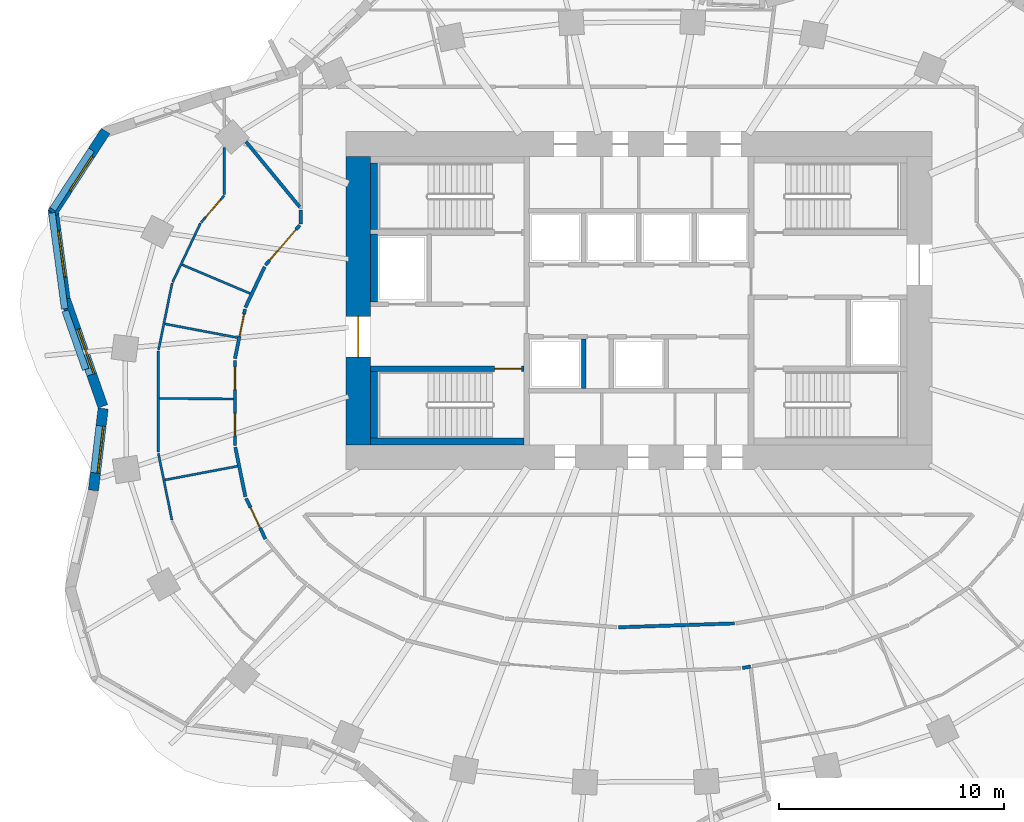
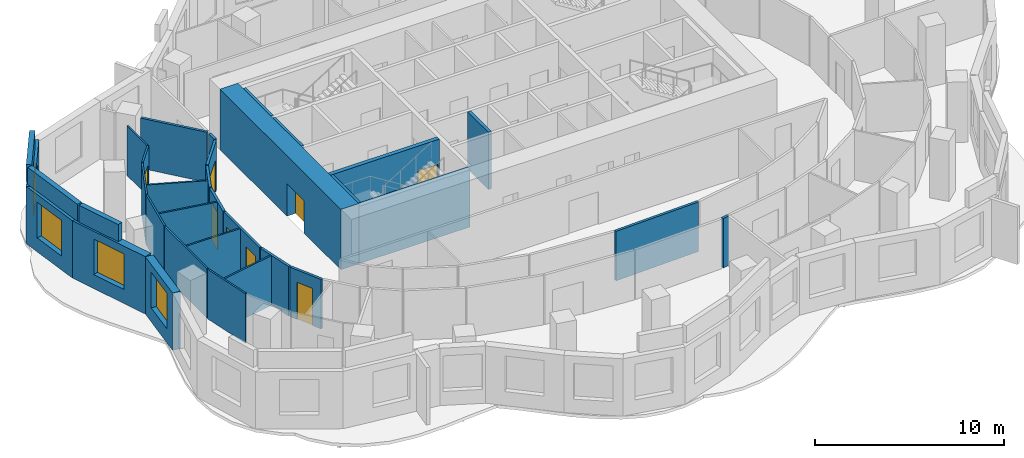
# One storey, part 4 of 10: 34 walls, 8 doors, 4 windows, 12 openings.
"""IFC4 building model written with IfcOpenShell, lengths in metres."""

import ifcopenshell
import ifcopenshell.guid

model = None  # the IFC model being written
_history = None  # IfcOwnerHistory: only IFC2X3 demands one
_inside = {}  # id of a spatial element -> (the spatial element, [elements in it])
_under = {}  # id of a project, library or spatial element -> (it, [spatial elements below it])
_declared = {}  # id of a project -> (the project, [libraries it declares])
_typed = {}  # id of a type object -> (the type object, [elements of that type])
_made_of = {}  # id of a material, layer set ... -> (it, [elements and type objects made of it])


def new_model(schema):
    """Start an empty IFC model of exactly this schema.

    Asked for "IFC4X3", IfcOpenShell would pick the latest addendum, in which some entities
    have other attributes; the version numbers below select the first issue.
    IFC2X3 requires an IfcOwnerHistory on every rooted entity: one is made here for all.
    """
    global model, _history
    if schema == "IFC4X3":
        model = ifcopenshell.file(schema_version=(4, 3, 0, 0))
    else:
        model = ifcopenshell.file(schema=schema)
    _inside.clear()
    _under.clear()
    _declared.clear()
    _typed.clear()
    _made_of.clear()
    _history = None
    if model.schema == "IFC2X3":
        org = make("IfcOrganization", Name="unknown")
        user = make(
            "IfcPersonAndOrganization",
            ThePerson=make("IfcPerson", FamilyName="unknown"),
            TheOrganization=org,
        )
        app = make(
            "IfcApplication",
            ApplicationDeveloper=org,
            Version="unknown",
            ApplicationFullName="unknown",
            ApplicationIdentifier="unknown",
        )
        _history = make(
            "IfcOwnerHistory",
            OwningUser=user,
            OwningApplication=app,
            ChangeAction="ADDED",
            CreationDate=0,
        )
    return model


def make(cls, **values):
    """One entity of the class cls with the attributes given. An attribute that is None is left unset."""
    return model.create_entity(
        cls, **{name: value for name, value in values.items() if value is not None}
    )


def rooted(cls, **values):
    """An entity with a GlobalId (a new one), such as an element, a storey or a relation."""
    return make(cls, GlobalId=ifcopenshell.guid.new(), OwnerHistory=_history, **values)


def si_unit(unit_type, name, prefix=None):
    """IfcSIUnit, for example si_unit("LENGTHUNIT", "METRE", prefix="MILLI")."""
    return make("IfcSIUnit", UnitType=unit_type, Prefix=prefix, Name=name)


def assignment(units):
    """IfcUnitAssignment: the units of a project."""
    return None if units is None else make("IfcUnitAssignment", Units=units)


def point(xyz):
    """IfcCartesianPoint."""
    return None if xyz is None else make("IfcCartesianPoint", Coordinates=xyz)


def direction(xyz):
    """IfcDirection."""
    return None if xyz is None else make("IfcDirection", DirectionRatios=xyz)


def frame(location, z_axis=None, x_axis=None):
    """IfcAxis2Placement3D, a coordinate frame: its origin and axes. An axis left out is left unset."""
    return make(
        "IfcAxis2Placement3D",
        Location=point(location),
        Axis=direction(z_axis),
        RefDirection=direction(x_axis),
    )


def frame_2d(location, x_axis=None):
    """IfcAxis2Placement2D, a coordinate frame in the plane: its origin and x axis."""
    return make(
        "IfcAxis2Placement2D", Location=point(location), RefDirection=direction(x_axis)
    )


def origin():
    """The frame at (0, 0, 0) with its axes left unset."""
    return frame((0.0, 0.0, 0.0))


def place(relative_to, where):
    """IfcLocalPlacement: puts the frame where relative to a parent placement (None: the world)."""
    return make(
        "IfcLocalPlacement", PlacementRelTo=relative_to, RelativePlacement=where
    )


def context(
    kind, dimensions, precision=None, world=None, true_north=None, identifier=None
):
    """IfcGeometricRepresentationContext, for example the 3D "Model" context."""
    return make(
        "IfcGeometricRepresentationContext",
        ContextIdentifier=identifier,
        ContextType=kind,
        CoordinateSpaceDimension=dimensions,
        Precision=precision,
        WorldCoordinateSystem=world,
        TrueNorth=true_north,
    )


def subcontext(parent, identifier, kind, view, scale=None):
    """IfcGeometricRepresentationSubContext, for example "Body" below "Model"."""
    return make(
        "IfcGeometricRepresentationSubContext",
        ContextIdentifier=identifier,
        ContextType=kind,
        ParentContext=parent,
        TargetScale=scale,
        TargetView=view,
    )


def project(units=None, contexts=None):
    """IfcProject with its units and contexts."""
    return rooted(
        "IfcProject",
        Name="project",
        RepresentationContexts=contexts,
        UnitsInContext=assignment(units),
    )


def spatial(cls, under=None, at=None, **own):
    """A site, building, storey or space (cls), placed at a placement, below another one or the project."""
    s = rooted(cls, ObjectPlacement=at, **own)
    if under is not None:
        _under.setdefault(under.id(), (under, []))[1].append(s)
    return s


def profile(cls, at=None, kind="AREA", **sizes):
    """A parametric profile (cls). Its sizes go by their IFC names, for example OverallWidth=200.0."""
    return make(cls, ProfileType=kind, Position=at, **sizes)


def rectangle(**sizes):
    """IfcRectangleProfileDef."""
    return profile("IfcRectangleProfileDef", **sizes)


def extrude(swept, where, along, depth):
    """IfcExtrudedAreaSolid: the profile swept, set in the frame where, extruded along a direction by depth."""
    return make(
        "IfcExtrudedAreaSolid",
        SweptArea=swept,
        Position=where,
        ExtrudedDirection=direction(along),
        Depth=depth,
    )


def shape(context_of_items, identifier, shape_type, items):
    """IfcShapeRepresentation: the items that make up one representation, for example the "Body"."""
    return make(
        "IfcShapeRepresentation",
        ContextOfItems=context_of_items,
        RepresentationIdentifier=identifier,
        RepresentationType=shape_type,
        Items=items,
    )


def material(Name=None, Category=None):
    """IfcMaterial."""
    return make("IfcMaterial", Name=Name, Category=Category)


def layer(
    of_material, thickness, ventilated=None, Name=None, Category=None, Priority=None
):
    """IfcMaterialLayer: one layer of a wall or slab, of a material (None: an air gap)."""
    return make(
        "IfcMaterialLayer",
        Material=of_material,
        LayerThickness=thickness,
        IsVentilated=ventilated,
        Name=Name,
        Category=Category,
        Priority=Priority,
    )


def layer_set(layers, Name=None):
    """IfcMaterialLayerSet."""
    return make("IfcMaterialLayerSet", MaterialLayers=layers, LayerSetName=Name)


def made_of(thing, what):
    """Note that an element or type object is made of a material, layer set ...; save() writes the relation."""
    if what is not None:
        _made_of.setdefault(what.id(), (what, []))[1].append(thing)
    return thing


def type_object(cls, material=None, **own):
    """A type object (cls), such as IfcWallType, which elements share."""
    return made_of(rooted(cls, **own), material)


def element(
    cls,
    number,
    at=None,
    inside=None,
    cuts=None,
    type_object=None,
    material=None,
    context=None,
    identifier="Body",
    shape_type=None,
    held_by="IfcProductDefinitionShape",
    body=None,
    shapes=None,
    **own,
):
    """One element of the class cls, such as IfcWall. Its Tag is "e" and its number.

    at: its placement. inside: the storey or other place that contains it. cuts: it is an
    opening in that element (IfcRelVoidsElement). A single representation is given by context,
    identifier, shape_type and body (its items); several are given by shapes. held_by: the class
    of the entity that holds the representations. save() writes the other relations.
    """
    e = rooted(cls, Tag="e%d" % number, ObjectPlacement=at, **own)
    if body is not None:
        shapes = [shape(context, identifier, shape_type, body)]
    if shapes is not None:
        e.Representation = make(held_by, Representations=shapes)
    if inside is not None:
        _inside.setdefault(inside.id(), (inside, []))[1].append(e)
    if cuts is not None:
        rooted(
            "IfcRelVoidsElement", RelatingBuildingElement=cuts, RelatedOpeningElement=e
        )
    if type_object is not None:
        _typed.setdefault(type_object.id(), (type_object, []))[1].append(e)
    return made_of(e, material)


def fill(opening, filler):
    """IfcRelFillsElement: the door or window that sits in an opening."""
    return rooted(
        "IfcRelFillsElement",
        RelatingOpeningElement=opening,
        RelatedBuildingElement=filler,
    )


def aggregate(whole, parts):
    """IfcRelAggregates: a whole, such as a stair, and the parts it consists of."""
    return rooted("IfcRelAggregates", RelatingObject=whole, RelatedObjects=parts)


def save(model, path):
    """Write the relations noted so far, then the file.

    IfcRelAggregates (storeys below a building ...), IfcRelContainedInSpatialStructure (elements
    in a storey), IfcRelDefinesByType, IfcRelAssociatesMaterial and IfcRelDeclares: one each for
    every whole, place, type object, material and project.
    """
    for whole, parts in _under.values():
        aggregate(whole, parts)
    for where, things in _inside.values():
        rooted(
            "IfcRelContainedInSpatialStructure",
            RelatedElements=things,
            RelatingStructure=where,
        )
    for kind, things in _typed.values():
        rooted("IfcRelDefinesByType", RelatedObjects=things, RelatingType=kind)
    for what, things in _made_of.values():
        rooted("IfcRelAssociatesMaterial", RelatedObjects=things, RelatingMaterial=what)
    for by, libraries in _declared.values():
        rooted("IfcRelDeclares", RelatingContext=by, RelatedDefinitions=libraries)
    model.write(path)


model = new_model("IFC4")

# Units and contexts
model_context = context("Model", 3, precision=1e-05, world=origin(), true_north=direction((0.0, 1.0)))
body_context = subcontext(model_context, "Body", "Model", "MODEL_VIEW")
ifc_project = project(units=[si_unit("LENGTHUNIT", "METRE"), si_unit("AREAUNIT", "SQUARE_METRE"), si_unit("VOLUMEUNIT", "CUBIC_METRE"), si_unit("PLANEANGLEUNIT", "RADIAN"), si_unit("MASSUNIT", "GRAM", prefix="KILO")], contexts=[model_context])

# Site, building, storey
site_placement = place(None, origin())
site = spatial("IfcSite", under=ifc_project, at=site_placement, CompositionType="ELEMENT")
building_placement = place(site_placement, origin())
building = spatial("IfcBuilding", under=site, at=building_placement, Name="Rubra Terraces Tower", CompositionType="ELEMENT")
storey_placement = place(building_placement, frame((0.0, 0.0, 161.699951171875)))
storey = spatial("IfcBuildingStorey", under=building, at=storey_placement, Name="L39", CompositionType="ELEMENT", Elevation=161.699951171875)

# Wall, opening, window
ifc_material_1 = material(Name="Brick masonry red-brown", Category="masonry")
ifc_layer_1 = layer(ifc_material_1, 0.449951171875)
ifc_layer_set_1 = layer_set([ifc_layer_1], Name="Brick masonry red-brown")
wall_type_1 = type_object("IfcWallType", Name="Brick facade wall 450", PredefinedType="SOLIDWALL", material=ifc_layer_set_1)
wall_1_placement = place(storey_placement, frame((-23.656494140625, 12.027099609375, 0.0), z_axis=(0.0, 0.0, 1.0), x_axis=(-0.545637310328, -0.838021435035, 0.0)))
wall_1 = element("IfcWall", 1, at=wall_1_placement, inside=storey, type_object=wall_type_1, Name="Facade wall L39 bay 18", PredefinedType="SOLIDWALL", context=body_context, shape_type="SweptSolid", body=[
    extrude(rectangle(XDim=4.336181640625, YDim=0.449951171875, at=frame_2d((2.16796875, 0.0))), origin(), (0.0, 0.0, 1.0), 3.699951171875),
])
opening_1_placement = place(wall_1_placement, frame((1.268310546875, 0.0, 0.89990234375)))
opening_1 = element("IfcOpeningElement", 2, at=opening_1_placement, cuts=wall_1, Name="Opening W6B", PredefinedType="OPENING", context=body_context, shape_type="SweptSolid", body=[
    extrude(rectangle(XDim=1.800048828125, YDim=2.300048828125, at=frame_2d((0.89990234375, 1.14990234375))), frame((0.0, 0.23486328125, 0.0), z_axis=(0.0, -1.0, 0.0), x_axis=(1.0, 0.0, 0.0)), (0.0, 0.0, 1.0), 0.469970703125),
])
ifc_material_2 = material(Name="Clear glass in aluminium frame", Category="aluminium")
window_type_1 = type_object("IfcWindowType", Name="Fixed deep-set window at wind fin tall storey 1800 x 2300", PartitioningType="SINGLE_PANEL", PredefinedType="WINDOW", material=ifc_material_2)
window_1_placement = place(opening_1_placement, origin())
window_1 = element("IfcWindow", 3, at=window_1_placement, inside=storey, type_object=window_type_1, Name="Window L39 bay 18", OverallHeight=2.300048828125, OverallWidth=1.800048828125, PartitioningType="SINGLE_PANEL", PredefinedType="WINDOW", context=body_context, shape_type="SweptSolid", body=[
    extrude(rectangle(XDim=1.800048828125, YDim=2.300048828125, at=frame_2d((0.89990234375, 1.14990234375))), frame((0.0, 0.135009765625, 0.0), z_axis=(0.0, -1.0, 0.0), x_axis=(1.0, 0.0, 0.0)), (0.0, 0.0, 1.0), 0.06005859375),
])
fill(opening_1, window_1)

wall_2_placement = place(storey_placement, frame((-25.988037109375, 8.5458984375, 0.0), z_axis=(0.0, 0.0, 1.0), x_axis=(0.132518904574, -0.991180477981, 0.0)))
wall_2 = element("IfcWall", 4, at=wall_2_placement, inside=storey, type_object=wall_type_1, Name="Facade wall L39 bay 19", PredefinedType="SOLIDWALL", context=body_context, shape_type="SweptSolid", body=[
    extrude(rectangle(XDim=4.007080078125, YDim=0.449951171875, at=frame_2d((2.00341796875, 0.0))), origin(), (0.0, 0.0, 1.0), 3.699951171875),
])
opening_2_placement = place(wall_2_placement, frame((0.95361328125, 0.0, 0.89990234375)))
opening_2 = element("IfcOpeningElement", 5, at=opening_2_placement, cuts=wall_2, Name="Opening W1B", PredefinedType="OPENING", context=body_context, shape_type="SweptSolid", body=[
    extrude(rectangle(XDim=2.10009765625, YDim=2.300048828125, at=frame_2d((1.050048828125, 1.14990234375))), frame((0.0, 0.23486328125, 0.0), z_axis=(0.0, -1.0, 0.0), x_axis=(1.0, 0.0, 0.0)), (0.0, 0.0, 1.0), 0.469970703125),
])
window_type_2 = type_object("IfcWindowType", Name="Fixed deep-set window tall storey 2100 x 2300", PartitioningType="SINGLE_PANEL", PredefinedType="WINDOW", material=ifc_material_2)
window_2_placement = place(opening_2_placement, origin())
window_2 = element("IfcWindow", 6, at=window_2_placement, inside=storey, type_object=window_type_2, Name="Window L39 bay 19", OverallHeight=2.300048828125, OverallWidth=2.10009765625, PartitioningType="SINGLE_PANEL", PredefinedType="WINDOW", context=body_context, shape_type="SweptSolid", body=[
    extrude(rectangle(XDim=2.10009765625, YDim=2.300048828125, at=frame_2d((1.050048828125, 1.14990234375))), frame((0.0, 0.135009765625, 0.0), z_axis=(0.0, -1.0, 0.0), x_axis=(1.0, 0.0, 0.0)), (0.0, 0.0, 1.0), 0.06005859375),
])
fill(opening_2, window_2)

wall_3_placement = place(storey_placement, frame((-25.4677734375, 4.618896484375, 0.0), z_axis=(0.0, 0.0, 1.0), x_axis=(0.330751636181, -0.943717836625, 0.0)))
wall_3 = element("IfcWall", 7, at=wall_3_placement, inside=storey, type_object=wall_type_1, Name="Facade wall L39 bay 20", PredefinedType="SOLIDWALL", context=body_context, shape_type="SweptSolid", body=[
    extrude(rectangle(XDim=5.095458984375, YDim=0.449951171875, at=frame_2d((2.5478515625, 0.0))), origin(), (0.0, 0.0, 1.0), 3.699951171875),
])
opening_3_placement = place(wall_3_placement, frame((1.497802734375, 0.0, 0.89990234375)))
opening_3 = element("IfcOpeningElement", 8, at=opening_3_placement, cuts=wall_3, Name="Opening W1B", PredefinedType="OPENING", context=body_context, shape_type="SweptSolid", body=[
    extrude(rectangle(XDim=2.10009765625, YDim=2.300048828125, at=frame_2d((1.050048828125, 1.14990234375))), frame((0.0, 0.23486328125, 0.0), z_axis=(0.0, -1.0, 0.0), x_axis=(1.0, 0.0, 0.0)), (0.0, 0.0, 1.0), 0.469970703125),
])
window_3_placement = place(opening_3_placement, origin())
window_3 = element("IfcWindow", 9, at=window_3_placement, inside=storey, type_object=window_type_2, Name="Window L39 bay 20", OverallHeight=2.300048828125, OverallWidth=2.10009765625, PartitioningType="SINGLE_PANEL", PredefinedType="WINDOW", context=body_context, shape_type="SweptSolid", body=[
    extrude(rectangle(XDim=2.10009765625, YDim=2.300048828125, at=frame_2d((1.050048828125, 1.14990234375))), frame((0.0, 0.135009765625, 0.0), z_axis=(0.0, -1.0, 0.0), x_axis=(1.0, 0.0, 0.0)), (0.0, 0.0, 1.0), 0.06005859375),
])
fill(opening_3, window_3)

wall_4_placement = place(storey_placement, frame((-23.7705078125, -0.283935546875, 0.0), z_axis=(0.0, 0.0, 1.0), x_axis=(-0.11770503458, -0.993048601446, 0.0)))
wall_4 = element("IfcWall", 10, at=wall_4_placement, inside=storey, type_object=wall_type_1, Name="Facade wall L39 bay 21", PredefinedType="SOLIDWALL", context=body_context, shape_type="SweptSolid", body=[
    extrude(rectangle(XDim=3.65673828125, YDim=0.449951171875, at=frame_2d((1.828369140625, 0.0))), origin(), (0.0, 0.0, 1.0), 3.699951171875),
])
opening_4_placement = place(wall_4_placement, frame((0.7783203125, 0.0, 0.89990234375)))
opening_4 = element("IfcOpeningElement", 11, at=opening_4_placement, cuts=wall_4, Name="Opening W1B", PredefinedType="OPENING", context=body_context, shape_type="SweptSolid", body=[
    extrude(rectangle(XDim=2.10009765625, YDim=2.300048828125, at=frame_2d((1.050048828125, 1.14990234375))), frame((0.0, 0.23486328125, 0.0), z_axis=(0.0, -1.0, 0.0), x_axis=(1.0, 0.0, 0.0)), (0.0, 0.0, 1.0), 0.469970703125),
])
window_4_placement = place(opening_4_placement, origin())
window_4 = element("IfcWindow", 12, at=window_4_placement, inside=storey, type_object=window_type_2, Name="Window L39 bay 21", OverallHeight=2.300048828125, OverallWidth=2.10009765625, PartitioningType="SINGLE_PANEL", PredefinedType="WINDOW", context=body_context, shape_type="SweptSolid", body=[
    extrude(rectangle(XDim=2.10009765625, YDim=2.300048828125, at=frame_2d((1.050048828125, 1.14990234375))), frame((0.0, 0.135009765625, 0.0), z_axis=(0.0, -1.0, 0.0), x_axis=(1.0, 0.0, 0.0)), (0.0, 0.0, 1.0), 0.06005859375),
])
fill(opening_4, window_4)

# Walls
ifc_layer_2 = layer(ifc_material_1, 0.300048828125)
ifc_layer_set_2 = layer_set([ifc_layer_2], Name="Brick masonry red-brown")
wall_type_2 = type_object("IfcWallType", Name="Brick parapet 300", PredefinedType="PARAPET", material=ifc_layer_set_2)
wall_5_placement = place(storey_placement, frame((-24.288818359375, 11.193359375, 3.900146484375), z_axis=(0.0, 0.0, 1.0), x_axis=(-0.545639010101, -0.838020328307, 0.0)))
element("IfcWall", 13, at=wall_5_placement, inside=storey, type_object=wall_type_2, Name="Parapet L39 bay 18", PredefinedType="PARAPET", context=body_context, shape_type="SweptSolid", body=[
    extrude(rectangle(XDim=3.1513671875, YDim=0.300048828125, at=frame_2d((1.57568359375, 0.0))), origin(), (0.0, 0.0, 1.0), 1.099853515625),
])
wall_6_placement = place(storey_placement, frame((-26.043701171875, 8.39599609375, 3.900146484375), z_axis=(0.0, 0.0, 1.0), x_axis=(0.132506125812, -0.991182186393, 0.0)))
element("IfcWall", 14, at=wall_6_placement, inside=storey, type_object=wall_type_2, Name="Parapet L39 bay 19", PredefinedType="PARAPET", context=body_context, shape_type="SweptSolid", body=[
    extrude(rectangle(XDim=4.296630859375, YDim=0.300048828125, at=frame_2d((2.1484375, 0.0))), origin(), (0.0, 0.0, 1.0), 1.099853515625),
])
wall_7_placement = place(storey_placement, frame((-25.453369140625, 4.04931640625, 3.900146484375), z_axis=(0.0, 0.0, 1.0), x_axis=(0.330796777865, -0.943702014279, 0.0)))
element("IfcWall", 15, at=wall_7_placement, inside=storey, type_object=wall_type_2, Name="Parapet L39 bay 20", PredefinedType="PARAPET", context=body_context, shape_type="SweptSolid", body=[
    extrude(rectangle(XDim=2.7529296875, YDim=0.300048828125, at=frame_2d((1.37646484375, 0.0))), origin(), (0.0, 0.0, 1.0), 1.099853515625),
])

# Wall, opening, door
ifc_material_3 = material(Name="Concrete C60", Category="concrete")
ifc_layer_3 = layer(ifc_material_3, 1.10009765625)
ifc_layer_set_3 = layer_set([ifc_layer_3], Name="Concrete C60")
wall_type_3 = type_object("IfcWallType", Name="CORE WALL 1100 C60", PredefinedType="SHEAR", material=ifc_layer_set_3)
wall_8_placement = place(storey_placement, frame((-12.449951171875, -1.89990234375, 0.0), z_axis=(0.0, 0.0, 1.0), x_axis=(0.0, 1.0, 0.0)))
wall_8 = element("IfcWall", 16, at=wall_8_placement, inside=storey, type_object=wall_type_3, Name="CORE WALL W L39", PredefinedType="SHEAR", context=body_context, shape_type="SweptSolid", body=[
    extrude(rectangle(XDim=12.7998046875, YDim=1.10009765625, at=frame_2d((6.39990234375, 0.0))), origin(), (0.0, 0.0, 1.0), 3.900146484375),
])
opening_5_placement = place(wall_8_placement, frame((3.89990234375, 0.0, 0.0)))
opening_5 = element("IfcOpeningElement", 17, at=opening_5_placement, cuts=wall_8, Name="Opening L39.C01", PredefinedType="OPENING", context=body_context, shape_type="SweptSolid", body=[
    extrude(rectangle(XDim=1.800048828125, YDim=2.10009765625, at=frame_2d((0.89990234375, 1.050048828125))), frame((0.0, 0.56005859375, 0.0), z_axis=(0.0, -1.0, 0.0), x_axis=(1.0, 0.0, 0.0)), (0.0, 0.0, 1.0), 1.1201171875),
])
ifc_material_4 = material(Name="Painted steel", Category="steel")
door_type_1 = type_object("IfcDoorType", Name="Fire door 1800x2100 double", OperationType="NOTDEFINED", PredefinedType="DOOR", material=ifc_material_4)
door_1_placement = place(opening_5_placement, origin())
door_1 = element("IfcDoor", 18, at=door_1_placement, inside=storey, type_object=door_type_1, Name="Core entrance door FF1", OperationType="DOUBLE_DOOR_SINGLE_SWING", OverallHeight=2.10009765625, OverallWidth=1.800048828125, PredefinedType="DOOR", context=body_context, shape_type="SweptSolid", body=[
    extrude(rectangle(XDim=1.800048828125, YDim=2.10009765625, at=frame_2d((0.89990234375, 1.050048828125))), frame((0.0, 0.02490234375, 0.0), z_axis=(0.0, -1.0, 0.0), x_axis=(1.0, 0.0, 0.0)), (0.0, 0.0, 1.0), 0.050048828125),
])
fill(opening_5, door_1)

# Wall
ifc_material_5 = material(Name="Plasterboard on steel stud, mineral wool infill", Category="steel")
ifc_layer_4 = layer(ifc_material_5, 0.14990234375)
ifc_layer_set_4 = layer_set([ifc_layer_4], Name="Plasterboard on steel stud, mineral wool infill")
wall_type_4 = type_object("IfcWallType", Name="CORRIDOR PARTITION 150", PredefinedType="PARTITIONING", material=ifc_layer_set_4)
wall_9_placement = place(storey_placement, frame((-15.0, 8.525390625, 0.0), z_axis=(0.0, 0.0, 1.0), x_axis=(0.0, -1.0, 0.0)))
element("IfcWall", 19, at=wall_9_placement, inside=storey, type_object=wall_type_4, Name="PARTITION", PredefinedType="PARTITIONING", context=body_context, shape_type="SweptSolid", body=[
    extrude(rectangle(XDim=0.62109375, YDim=0.14990234375, at=frame_2d((0.310546875, 0.0))), origin(), (0.0, 0.0, 1.0), 3.197998046875),
])

# Wall, opening, door
wall_10_placement = place(storey_placement, frame((-15.048828125, 7.847412109375, 0.0), z_axis=(0.0, 0.0, 1.0), x_axis=(-0.651264357687, -0.758850931611, 0.0)))
wall_10 = element("IfcWall", 20, at=wall_10_placement, inside=storey, type_object=wall_type_4, Name="PARTITION", PredefinedType="PARTITIONING", context=body_context, shape_type="SweptSolid", body=[
    extrude(rectangle(XDim=2.33740234375, YDim=0.14990234375, at=frame_2d((1.168701171875, 0.0))), origin(), (0.0, 0.0, 1.0), 3.197998046875),
])
opening_6_placement = place(wall_10_placement, frame((0.25, 0.0, 0.0)))
opening_6 = element("IfcOpeningElement", 21, at=opening_6_placement, cuts=wall_10, Name="Opening 39-106", PredefinedType="OPENING", context=body_context, shape_type="SweptSolid", body=[
    extrude(rectangle(XDim=1.800048828125, YDim=2.10009765625, at=frame_2d((0.89990234375, 1.050048828125))), frame((0.0, 0.0849609375, 0.0), z_axis=(0.0, -1.0, 0.0), x_axis=(1.0, 0.0, 0.0)), (0.0, 0.0, 1.0), 0.169921875),
])
ifc_material_6 = material(Name="Painted timber door leaf, double", Category="wood")
door_type_2 = type_object("IfcDoorType", Name="ROOM DOUBLE DOOR 1800 X 2100", OperationType="DOUBLE_DOOR_SINGLE_SWING", PredefinedType="DOOR", material=ifc_material_6)
door_2_placement = place(opening_6_placement, origin())
door_2 = element("IfcDoor", 22, at=door_2_placement, inside=storey, type_object=door_type_2, Name="DOOR 39-106", OperationType="DOUBLE_DOOR_SINGLE_SWING", OverallHeight=2.10009765625, OverallWidth=1.800048828125, PredefinedType="DOOR", context=body_context, shape_type="SweptSolid", body=[
    extrude(rectangle(XDim=1.800048828125, YDim=2.10009765625, at=frame_2d((0.89990234375, 1.050048828125))), frame((0.0, 0.02490234375, 0.0), z_axis=(0.0, -1.0, 0.0), x_axis=(1.0, 0.0, 0.0)), (0.0, 0.0, 1.0), 0.050048828125),
])
fill(opening_6, door_2)

# Wall
wall_11_placement = place(storey_placement, frame((-16.603271484375, 6.006103515625, 0.0), z_axis=(0.0, 0.0, 1.0), x_axis=(-0.427839289523, -0.903854823708, 0.0)))
element("IfcWall", 23, at=wall_11_placement, inside=storey, type_object=wall_type_4, Name="PARTITION", PredefinedType="PARTITIONING", context=body_context, shape_type="SweptSolid", body=[
    extrude(rectangle(XDim=1.99658203125, YDim=0.14990234375, at=frame_2d((0.998291015625, 0.0))), origin(), (0.0, 0.0, 1.0), 3.197998046875),
])

# Wall, opening, door
wall_12_placement = place(storey_placement, frame((-17.472412109375, 4.1279296875, 0.0), z_axis=(0.0, 0.0, 1.0), x_axis=(-0.199502025364, -0.979897413955, 0.0)))
wall_12 = element("IfcWall", 24, at=wall_12_placement, inside=storey, type_object=wall_type_4, Name="PARTITION", PredefinedType="PARTITIONING", context=body_context, shape_type="SweptSolid", body=[
    extrude(rectangle(XDim=2.24560546875, YDim=0.14990234375, at=frame_2d((1.122802734375, 0.0))), origin(), (0.0, 0.0, 1.0), 3.197998046875),
])
opening_7_placement = place(wall_12_placement, frame((0.22509765625, 0.0, 0.0)))
opening_7 = element("IfcOpeningElement", 25, at=opening_7_placement, cuts=wall_12, Name="Opening 39-108", PredefinedType="OPENING", context=body_context, shape_type="SweptSolid", body=[
    extrude(rectangle(XDim=1.0, YDim=2.39990234375, at=frame_2d((0.5, 1.199951171875))), frame((0.0, 0.0849609375, 0.0), z_axis=(0.0, -1.0, 0.0), x_axis=(1.0, 0.0, 0.0)), (0.0, 0.0, 1.0), 0.169921875),
])
ifc_material_7 = material(Name="Glazed aluminium meeting door leaf", Category="aluminium")
door_type_3 = type_object("IfcDoorType", Name="MEETING ROOM GLAZED DOOR 1000 X 2400", OperationType="SINGLE_SWING_LEFT", PredefinedType="DOOR", material=ifc_material_7)
door_3_placement = place(opening_7_placement, origin())
door_3 = element("IfcDoor", 26, at=door_3_placement, inside=storey, type_object=door_type_3, Name="DOOR 39-108", OperationType="SINGLE_SWING_RIGHT", OverallHeight=2.39990234375, OverallWidth=1.0, PredefinedType="DOOR", context=body_context, shape_type="SweptSolid", body=[
    extrude(rectangle(XDim=1.0, YDim=2.39990234375, at=frame_2d((0.5, 1.199951171875))), frame((0.0, 0.02490234375, 0.0), z_axis=(0.0, -1.0, 0.0), x_axis=(1.0, 0.0, 0.0)), (0.0, 0.0, 1.0), 0.050048828125),
])
fill(opening_7, door_3)

# Wall, openings, doors
wall_13_placement = place(storey_placement, frame((-17.92041015625, 1.8525390625, 0.0), z_axis=(0.0, 0.0, 1.0), x_axis=(0.0, -1.0, 0.0)))
wall_13 = element("IfcWall", 27, at=wall_13_placement, inside=storey, type_object=wall_type_4, Name="PARTITION", PredefinedType="PARTITIONING", context=body_context, shape_type="SweptSolid", body=[
    extrude(rectangle(XDim=3.780029296875, YDim=0.14990234375, at=frame_2d((1.89013671875, 0.0))), origin(), (0.0, 0.0, 1.0), 3.197998046875),
])
opening_8_placement = place(wall_13_placement, frame((0.300048828125, 0.0, 0.0)))
opening_8 = element("IfcOpeningElement", 28, at=opening_8_placement, cuts=wall_13, Name="Opening 39-109", PredefinedType="OPENING", context=body_context, shape_type="SweptSolid", body=[
    extrude(rectangle(XDim=1.0, YDim=2.39990234375, at=frame_2d((0.5, 1.199951171875))), frame((0.0, 0.0849609375, 0.0), z_axis=(0.0, -1.0, 0.0), x_axis=(1.0, 0.0, 0.0)), (0.0, 0.0, 1.0), 0.169921875),
])
opening_9_placement = place(wall_13_placement, frame((2.35009765625, 0.0, 0.0)))
opening_9 = element("IfcOpeningElement", 29, at=opening_9_placement, cuts=wall_13, Name="Opening 39-110", PredefinedType="OPENING", context=body_context, shape_type="SweptSolid", body=[
    extrude(rectangle(XDim=1.0, YDim=2.39990234375, at=frame_2d((0.5, 1.199951171875))), frame((0.0, 0.0849609375, 0.0), z_axis=(0.0, -1.0, 0.0), x_axis=(1.0, 0.0, 0.0)), (0.0, 0.0, 1.0), 0.169921875),
])
door_4_placement = place(opening_8_placement, origin())
door_4 = element("IfcDoor", 30, at=door_4_placement, inside=storey, type_object=door_type_3, Name="DOOR 39-109", OperationType="SINGLE_SWING_RIGHT", OverallHeight=2.39990234375, OverallWidth=1.0, PredefinedType="DOOR", context=body_context, shape_type="SweptSolid", body=[
    extrude(rectangle(XDim=1.0, YDim=2.39990234375, at=frame_2d((0.5, 1.199951171875))), frame((0.0, 0.02490234375, 0.0), z_axis=(0.0, -1.0, 0.0), x_axis=(1.0, 0.0, 0.0)), (0.0, 0.0, 1.0), 0.050048828125),
])
fill(opening_8, door_4)
door_5_placement = place(opening_9_placement, origin())
door_5 = element("IfcDoor", 31, at=door_5_placement, inside=storey, type_object=door_type_3, Name="DOOR 39-110", OperationType="SINGLE_SWING_RIGHT", OverallHeight=2.39990234375, OverallWidth=1.0, PredefinedType="DOOR", context=body_context, shape_type="SweptSolid", body=[
    extrude(rectangle(XDim=1.0, YDim=2.39990234375, at=frame_2d((0.5, 1.199951171875))), frame((0.0, 0.02490234375, 0.0), z_axis=(0.0, -1.0, 0.0), x_axis=(1.0, 0.0, 0.0)), (0.0, 0.0, 1.0), 0.050048828125),
])
fill(opening_9, door_5)

# Wall
wall_14_placement = place(storey_placement, frame((-17.905517578125, -2.0009765625, 0.0), z_axis=(0.0, 0.0, 1.0), x_axis=(0.199502025364, -0.979897413955, 0.0)))
element("IfcWall", 32, at=wall_14_placement, inside=storey, type_object=wall_type_4, Name="PARTITION", PredefinedType="PARTITIONING", context=body_context, shape_type="SweptSolid", body=[
    extrude(rectangle(XDim=2.24560546875, YDim=0.14990234375, at=frame_2d((1.122802734375, 0.0))), origin(), (0.0, 0.0, 1.0), 3.197998046875),
])

# Wall, opening, door
wall_15_placement = place(storey_placement, frame((-17.42529296875, -4.269287109375, 0.0), z_axis=(0.0, 0.0, 1.0), x_axis=(0.427886578366, -0.90383243804, 0.0)))
wall_15 = element("IfcWall", 33, at=wall_15_placement, inside=storey, type_object=wall_type_4, Name="PARTITION", PredefinedType="PARTITIONING", context=body_context, shape_type="SweptSolid", body=[
    extrude(rectangle(XDim=1.996337890625, YDim=0.14990234375, at=frame_2d((0.998046875, 0.0))), origin(), (0.0, 0.0, 1.0), 3.197998046875),
])
opening_10_placement = place(wall_15_placement, frame((0.449951171875, 0.0, 0.0)))
opening_10 = element("IfcOpeningElement", 34, at=opening_10_placement, cuts=wall_15, Name="Opening 39-111", PredefinedType="OPENING", context=body_context, shape_type="SweptSolid", body=[
    extrude(rectangle(XDim=1.0, YDim=2.39990234375, at=frame_2d((0.5, 1.199951171875))), frame((0.0, 0.0849609375, 0.0), z_axis=(0.0, -1.0, 0.0), x_axis=(1.0, 0.0, 0.0)), (0.0, 0.0, 1.0), 0.169921875),
])
door_6_placement = place(opening_10_placement, origin())
door_6 = element("IfcDoor", 35, at=door_6_placement, inside=storey, type_object=door_type_3, Name="DOOR 39-111", OperationType="SINGLE_SWING_RIGHT", OverallHeight=2.39990234375, OverallWidth=1.0, PredefinedType="DOOR", context=body_context, shape_type="SweptSolid", body=[
    extrude(rectangle(XDim=1.0, YDim=2.39990234375, at=frame_2d((0.5, 1.199951171875))), frame((0.0, 0.02490234375, 0.0), z_axis=(0.0, -1.0, 0.0), x_axis=(1.0, 0.0, 0.0)), (0.0, 0.0, 1.0), 0.050048828125),
])
fill(opening_10, door_6)

# Walls
wall_16_placement = place(storey_placement, frame((4.593505859375, -11.798583984375, 0.0), z_axis=(0.0, 0.0, 1.0), x_axis=(0.9846521594, 0.174528292804, 0.0)))
element("IfcWall", 36, at=wall_16_placement, inside=storey, type_object=wall_type_4, Name="PARTITION", PredefinedType="PARTITIONING", context=body_context, shape_type="SweptSolid", body=[
    extrude(rectangle(XDim=0.375, YDim=0.14990234375, at=frame_2d((0.1875, 0.0))), origin(), (0.0, 0.0, 1.0), 3.197998046875),
])
wall_17_placement = place(storey_placement, frame((4.235595703125, -9.820068359375, 0.0), z_axis=(0.0, 0.0, 1.0), x_axis=(-0.999435760561, -0.033588100749, 0.0)))
element("IfcWall", 37, at=wall_17_placement, inside=storey, type_object=wall_type_4, Name="PARTITION", PredefinedType="PARTITIONING", context=body_context, shape_type="SweptSolid", body=[
    extrude(rectangle(XDim=5.146240234375, YDim=0.14990234375, at=frame_2d((2.5732421875, 0.0))), origin(), (0.0, 0.0, 1.0), 3.197998046875),
])
ifc_material_8 = material(Name="Concrete C40", Category="concrete")
ifc_layer_5 = layer(ifc_material_8, 0.300048828125)
ifc_layer_set_5 = layer_set([ifc_layer_5], Name="Concrete C40")
wall_type_5 = type_object("IfcWallType", Name="Core lining wall 300 concrete", PredefinedType="SOLIDWALL", material=ifc_layer_set_5)
wall_18_placement = place(storey_placement, frame((-11.89990234375, -1.75, 0.0), z_axis=(0.0, 0.0, 1.0), x_axis=(1.0, 0.0, 0.0)))
element("IfcWall", 38, at=wall_18_placement, inside=storey, type_object=wall_type_5, Name="CORE LINING WALL L39", PredefinedType="SOLIDWALL", context=body_context, shape_type="SweptSolid", body=[
    extrude(rectangle(XDim=6.7998046875, YDim=0.300048828125, at=frame_2d((3.39990234375, 0.0))), origin(), (0.0, 0.0, 1.0), 3.699951171875),
])
wall_19_placement = place(storey_placement, frame((-11.75, -1.60009765625, 0.0), z_axis=(0.0, 0.0, 1.0), x_axis=(0.0, 1.0, 0.0)))
element("IfcWall", 39, at=wall_19_placement, inside=storey, type_object=wall_type_5, Name="CORE LINING WALL L39", PredefinedType="SOLIDWALL", context=body_context, shape_type="SweptSolid", body=[
    extrude(rectangle(XDim=2.9501953125, YDim=0.300048828125, at=frame_2d((1.47509765625, 0.0))), origin(), (0.0, 0.0, 1.0), 3.699951171875),
])
wall_20_placement = place(storey_placement, frame((-11.75, 4.449951171875, 0.0), z_axis=(0.0, 0.0, 1.0), x_axis=(0.0, 1.0, 0.0)))
element("IfcWall", 40, at=wall_20_placement, inside=storey, type_object=wall_type_5, Name="CORE LINING WALL L39", PredefinedType="SOLIDWALL", context=body_context, shape_type="SweptSolid", body=[
    extrude(rectangle(XDim=3.0, YDim=0.300048828125, at=frame_2d((1.5, 0.0))), origin(), (0.0, 0.0, 1.0), 3.699951171875),
])
wall_21_placement = place(storey_placement, frame((-11.75, 7.64990234375, 0.0), z_axis=(0.0, 0.0, 1.0), x_axis=(0.0, 1.0, 0.0)))
element("IfcWall", 41, at=wall_21_placement, inside=storey, type_object=wall_type_5, Name="CORE LINING WALL L39", PredefinedType="SOLIDWALL", context=body_context, shape_type="SweptSolid", body=[
    extrude(rectangle(XDim=2.9501953125, YDim=0.300048828125, at=frame_2d((1.47509765625, 0.0))), origin(), (0.0, 0.0, 1.0), 3.699951171875),
])
ifc_material_9 = material(Name="Concrete C30", Category="concrete")
ifc_layer_6 = layer(ifc_material_9, 0.199951171875)
ifc_layer_set_6 = layer_set([ifc_layer_6], Name="Concrete C30")
wall_type_6 = type_object("IfcWallType", Name="Core wall 200 concrete", PredefinedType="SOLIDWALL", material=ifc_layer_set_6)
wall_22_placement = place(storey_placement, frame((-2.449951171875, 0.60009765625, 0.0), z_axis=(0.0, 0.0, 1.0), x_axis=(0.0, 1.0, 0.0)))
element("IfcWall", 42, at=wall_22_placement, inside=storey, type_object=wall_type_6, Name="LIFT SHAFT WALL L39", PredefinedType="SOLIDWALL", context=body_context, shape_type="SweptSolid", body=[
    extrude(rectangle(XDim=2.199951171875, YDim=0.199951171875, at=frame_2d((1.10009765625, 0.0))), origin(), (0.0, 0.0, 1.0), 3.699951171875),
])
ifc_material_10 = material(Name="Plasterboard on steel stud", Category="steel")
ifc_layer_7 = layer(ifc_material_10, 0.10009765625)
ifc_layer_set_7 = layer_set([ifc_layer_7], Name="Plasterboard on steel stud")
wall_type_7 = type_object("IfcWallType", Name="ROOM PARTITION 100", PredefinedType="PARTITIONING", material=ifc_layer_set_7)
wall_23_placement = place(storey_placement, frame((-20.717041015625, -5.234619140625, 0.0), z_axis=(0.0, 0.0, 1.0), x_axis=(-0.199405031181, 0.979917156468, 0.0)))
element("IfcWall", 43, at=wall_23_placement, inside=storey, type_object=wall_type_7, Name="PARTITION", PredefinedType="PARTITIONING", context=body_context, shape_type="SweptSolid", body=[
    extrude(rectangle(XDim=3.025390625, YDim=0.10009765625, at=frame_2d((1.5126953125, 0.0))), origin(), (0.0, 0.0, 1.0), 3.197998046875),
])
wall_24_placement = place(storey_placement, frame((-21.3203125, -2.22021484375, 0.0), z_axis=(0.0, 0.0, 1.0), x_axis=(0.0, 1.0, 0.0)))
element("IfcWall", 44, at=wall_24_placement, inside=storey, type_object=wall_type_7, Name="PARTITION", PredefinedType="PARTITIONING", context=body_context, shape_type="SweptSolid", body=[
    extrude(rectangle(XDim=4.490234375, YDim=0.10009765625, at=frame_2d((2.2451171875, 0.0))), origin(), (0.0, 0.0, 1.0), 3.197998046875),
])
wall_25_placement = place(storey_placement, frame((-21.310302734375, 2.319091796875, 0.0), z_axis=(0.0, 0.0, 1.0), x_axis=(0.199405031181, 0.979917156468, 0.0)))
element("IfcWall", 45, at=wall_25_placement, inside=storey, type_object=wall_type_7, Name="PARTITION", PredefinedType="PARTITIONING", context=body_context, shape_type="SweptSolid", body=[
    extrude(rectangle(XDim=3.025390625, YDim=0.10009765625, at=frame_2d((1.5126953125, 0.0))), origin(), (0.0, 0.0, 1.0), 3.197998046875),
])
wall_26_placement = place(storey_placement, frame((-20.685546875, 5.328857421875, 0.0), z_axis=(0.0, 0.0, 1.0), x_axis=(0.427853981115, 0.903847869303, 0.0)))
element("IfcWall", 46, at=wall_26_placement, inside=storey, type_object=wall_type_7, Name="PARTITION", PredefinedType="PARTITIONING", context=body_context, shape_type="SweptSolid", body=[
    extrude(rectangle(XDim=2.890625, YDim=0.10009765625, at=frame_2d((1.4453125, 0.0))), origin(), (0.0, 0.0, 1.0), 3.197998046875),
])

# Wall, opening, door
wall_27_placement = place(storey_placement, frame((-19.416015625, 7.9794921875, 0.0), z_axis=(0.0, 0.0, 1.0), x_axis=(0.651306716239, 0.758814576416, 0.0)))
wall_27 = element("IfcWall", 47, at=wall_27_placement, inside=storey, type_object=wall_type_7, Name="PARTITION", PredefinedType="PARTITIONING", context=body_context, shape_type="SweptSolid", body=[
    extrude(rectangle(XDim=1.56005859375, YDim=0.10009765625, at=frame_2d((0.780029296875, 0.0))), origin(), (0.0, 0.0, 1.0), 3.197998046875),
])
opening_11_placement = place(wall_27_placement, frame((0.31005859375, 0.0, 0.0)))
opening_11 = element("IfcOpeningElement", 48, at=opening_11_placement, cuts=wall_27, Name="Opening 39-107", PredefinedType="OPENING", context=body_context, shape_type="SweptSolid", body=[
    extrude(rectangle(XDim=1.0, YDim=2.10009765625, at=frame_2d((0.5, 1.050048828125))), frame((0.0, 0.06005859375, 0.0), z_axis=(0.0, -1.0, 0.0), x_axis=(1.0, 0.0, 0.0)), (0.0, 0.0, 1.0), 0.1201171875),
])
ifc_material_11 = material(Name="Painted timber door leaf", Category="wood")
door_type_4 = type_object("IfcDoorType", Name="ROOM DOOR 1000 X 2100", OperationType="SINGLE_SWING_LEFT", PredefinedType="DOOR", material=ifc_material_11)
door_7_placement = place(opening_11_placement, origin())
door_7 = element("IfcDoor", 49, at=door_7_placement, inside=storey, type_object=door_type_4, Name="DOOR 39-107", OperationType="SINGLE_SWING_RIGHT", OverallHeight=2.10009765625, OverallWidth=1.0, PredefinedType="DOOR", context=body_context, shape_type="SweptSolid", body=[
    extrude(rectangle(XDim=1.0, YDim=2.10009765625, at=frame_2d((0.5, 1.050048828125))), frame((0.0, 0.02490234375, 0.0), z_axis=(0.0, -1.0, 0.0), x_axis=(1.0, 0.0, 0.0)), (0.0, 0.0, 1.0), 0.050048828125),
])
fill(opening_11, door_7)

# Walls
wall_28_placement = place(storey_placement, frame((-18.39990234375, 9.21337890625, 0.0), z_axis=(0.0, 0.0, 1.0), x_axis=(0.0, 1.0, 0.0)))
element("IfcWall", 50, at=wall_28_placement, inside=storey, type_object=wall_type_7, Name="PARTITION", PredefinedType="PARTITIONING", context=body_context, shape_type="SweptSolid", body=[
    extrude(rectangle(XDim=2.084716796875, YDim=0.10009765625, at=frame_2d((1.04248046875, 0.0))), origin(), (0.0, 0.0, 1.0), 3.197998046875),
])
wall_29_placement = place(storey_placement, frame((-17.248291015625, 4.81884765625, 0.0), z_axis=(0.0, 0.0, 1.0), x_axis=(-0.921067965139, 0.38940185361, 0.0)))
element("IfcWall", 51, at=wall_29_placement, inside=storey, type_object=wall_type_7, Name="PARTITION", PredefinedType="PARTITIONING", context=body_context, shape_type="SweptSolid", body=[
    extrude(rectangle(XDim=3.27783203125, YDim=0.10009765625, at=frame_2d((1.638916015625, 0.0))), origin(), (0.0, 0.0, 1.0), 3.197998046875),
])
wall_30_placement = place(storey_placement, frame((-17.806884765625, 2.861083984375, 0.0), z_axis=(0.0, 0.0, 1.0), x_axis=(-0.982612167068, 0.185669946762, 0.0)))
element("IfcWall", 52, at=wall_30_placement, inside=storey, type_object=wall_type_7, Name="PARTITION", PredefinedType="PARTITIONING", context=body_context, shape_type="SweptSolid", body=[
    extrude(rectangle(XDim=3.275390625, YDim=0.10009765625, at=frame_2d((1.6376953125, 0.0))), origin(), (0.0, 0.0, 1.0), 3.197998046875),
])
wall_31_placement = place(storey_placement, frame((-17.995361328125, 0.139404296875, 0.0), z_axis=(0.0, 0.0, 1.0), x_axis=(-0.999972217549, 0.007454135054, 0.0)))
element("IfcWall", 53, at=wall_31_placement, inside=storey, type_object=wall_type_7, Name="PARTITION", PredefinedType="PARTITIONING", context=body_context, shape_type="SweptSolid", body=[
    extrude(rectangle(XDim=3.275146484375, YDim=0.10009765625, at=frame_2d((1.6376953125, 0.0))), origin(), (0.0, 0.0, 1.0), 3.197998046875),
])
wall_32_placement = place(storey_placement, frame((-17.81005859375, -2.84521484375, 0.0), z_axis=(0.0, 0.0, 1.0), x_axis=(-0.982568773817, -0.185899447876, 0.0)))
element("IfcWall", 54, at=wall_32_placement, inside=storey, type_object=wall_type_7, Name="PARTITION", PredefinedType="PARTITIONING", context=body_context, shape_type="SweptSolid", body=[
    extrude(rectangle(XDim=3.275390625, YDim=0.10009765625, at=frame_2d((1.6376953125, 0.0))), origin(), (0.0, 0.0, 1.0), 3.197998046875),
])
ifc_layer_8 = layer(ifc_material_10, 0.14990234375)
ifc_layer_set_8 = layer_set([ifc_layer_8], Name="Plasterboard on steel stud")
wall_type_8 = type_object("IfcWallType", Name="ROOM PARTITION 150", PredefinedType="PARTITIONING", material=ifc_layer_set_8)
wall_33_placement = place(storey_placement, frame((-17.43017578125, 11.553466796875, 0.0), z_axis=(0.0, 0.0, 1.0), x_axis=(0.635458439817, -0.7721350732, 0.0)))
element("IfcWall", 55, at=wall_33_placement, inside=storey, type_object=wall_type_8, Name="PARTITION", PredefinedType="PARTITIONING", context=body_context, shape_type="SweptSolid", body=[
    extrude(rectangle(XDim=3.749267578125, YDim=0.14990234375, at=frame_2d((1.87451171875, 0.0))), origin(), (0.0, 0.0, 1.0), 3.234130859375),
])

# Wall, opening, door
ifc_layer_9 = layer(ifc_material_8, 0.25)
ifc_layer_set_9 = layer_set([ifc_layer_9], Name="Concrete C40")
wall_type_9 = type_object("IfcWallType", Name="Stair enclosure wall 250 concrete", PredefinedType="SOLIDWALL", material=ifc_layer_set_9)
wall_34_placement = place(storey_placement, frame((-11.89990234375, 1.47509765625, 0.0), z_axis=(0.0, 0.0, 1.0), x_axis=(1.0, 0.0, 0.0)))
wall_34 = element("IfcWall", 56, at=wall_34_placement, inside=storey, type_object=wall_type_9, Name="STAIR WALL L39", PredefinedType="SOLIDWALL", context=body_context, shape_type="SweptSolid", body=[
    extrude(rectangle(XDim=6.7998046875, YDim=0.25, at=frame_2d((3.39990234375, 0.0))), origin(), (0.0, 0.0, 1.0), 3.699951171875),
])
opening_12_placement = place(wall_34_placement, frame((5.5, 0.0, 0.0)))
opening_12 = element("IfcOpeningElement", 57, at=opening_12_placement, cuts=wall_34, Name="Opening L39.C07", PredefinedType="OPENING", context=body_context, shape_type="SweptSolid", body=[
    extrude(rectangle(XDim=1.199951171875, YDim=2.10009765625, at=frame_2d((0.60009765625, 1.050048828125))), frame((0.0, 0.135009765625, 0.0), z_axis=(0.0, -1.0, 0.0), x_axis=(1.0, 0.0, 0.0)), (0.0, 0.0, 1.0), 0.27001953125),
])
door_type_5 = type_object("IfcDoorType", Name="Fire door 1200x2100 single", OperationType="NOTDEFINED", PredefinedType="DOOR", material=ifc_material_4)
door_8_placement = place(opening_12_placement, origin())
door_8 = element("IfcDoor", 58, at=door_8_placement, inside=storey, type_object=door_type_5, Name="Stair door S1", OperationType="SINGLE_SWING_LEFT", OverallHeight=2.10009765625, OverallWidth=1.199951171875, PredefinedType="DOOR", context=body_context, shape_type="SweptSolid", body=[
    extrude(rectangle(XDim=1.199951171875, YDim=2.10009765625, at=frame_2d((0.60009765625, 1.050048828125))), frame((0.0, 0.02490234375, 0.0), z_axis=(0.0, -1.0, 0.0), x_axis=(1.0, 0.0, 0.0)), (0.0, 0.0, 1.0), 0.050048828125),
])
fill(opening_12, door_8)

save(model, "model.ifc")
